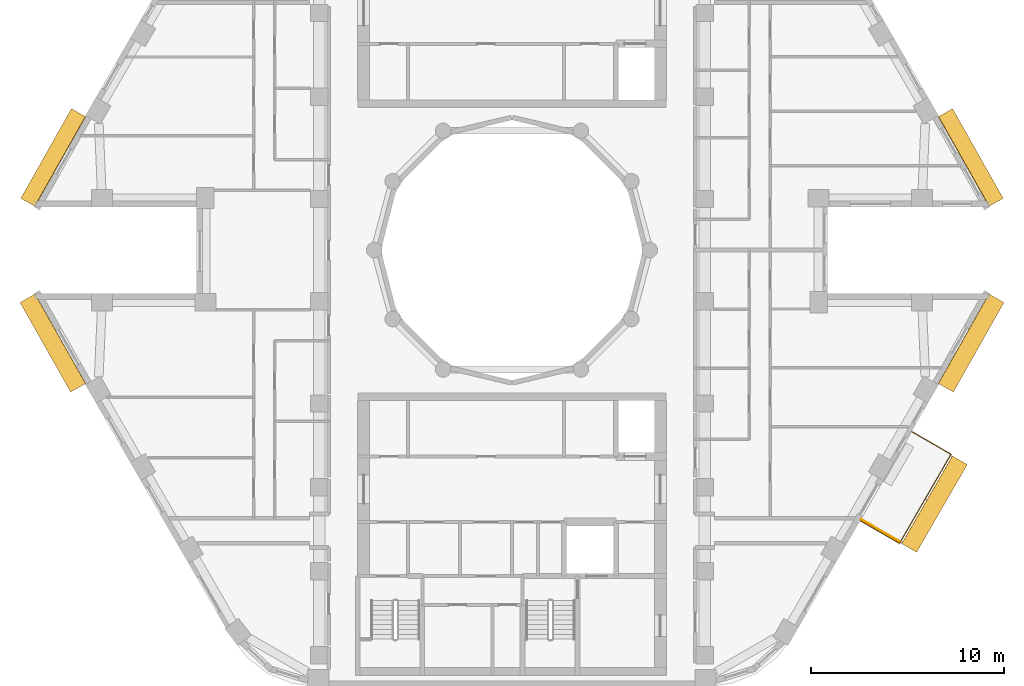
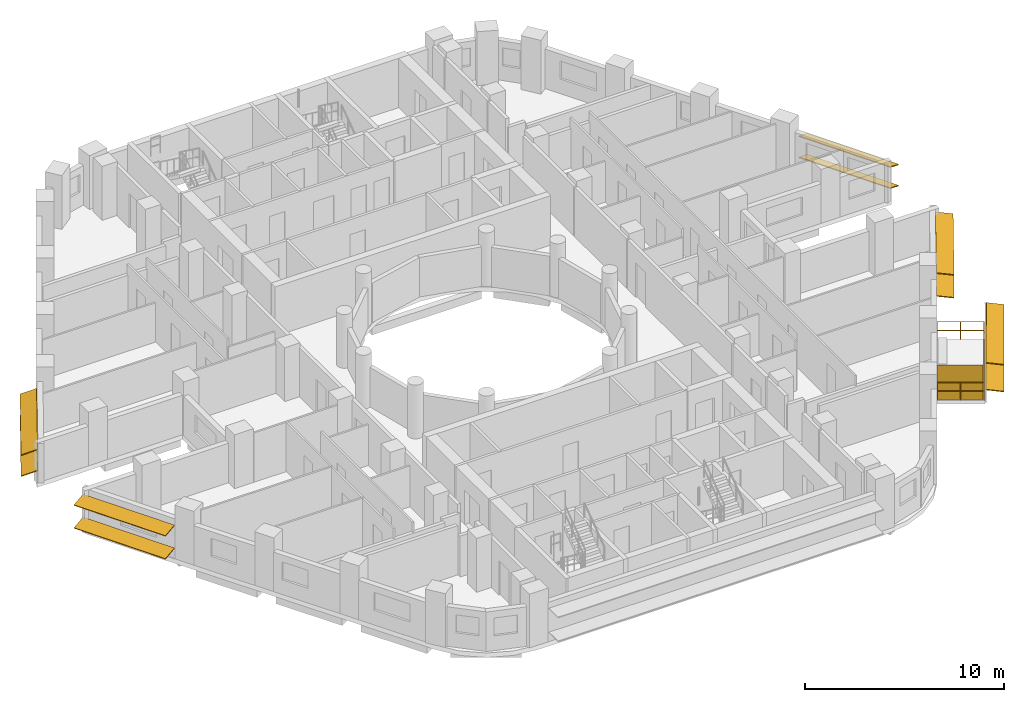
# One storey, part 11 of 12: 11 shading devices, 1 railing.
"""IFC4 building model written with IfcOpenShell, lengths in metres."""

from ifc_helpers import new_model, si_unit, direction, frame, origin, origin_2d, place, context, subcontext, project, spatial, rectangle, circle, extrude, material, layer, layer_set, material_profile, profile_set, type_object, element, save


model = new_model("IFC4")

# Units and contexts
model_context = context("Model", 3, precision=1e-05, world=origin(), true_north=direction((0.0, 1.0)))
body_context = subcontext(model_context, "Body", "Model", "MODEL_VIEW")
ifc_project = project(units=[si_unit("LENGTHUNIT", "METRE"), si_unit("AREAUNIT", "SQUARE_METRE"), si_unit("VOLUMEUNIT", "CUBIC_METRE"), si_unit("PLANEANGLEUNIT", "RADIAN"), si_unit("MASSUNIT", "GRAM", prefix="KILO")], contexts=[model_context])

# Site, building, storey
site_placement = place(None, origin())
site = spatial("IfcSite", under=ifc_project, at=site_placement, CompositionType="ELEMENT")
building_placement = place(site_placement, origin())
building = spatial("IfcBuilding", under=site, at=building_placement, Name="Nakaniwa Court", CompositionType="ELEMENT")
storey_placement = place(building_placement, frame((0.0, 0.0, 232.800048828125)))
storey = spatial("IfcBuildingStorey", under=building, at=storey_placement, Name="L60", CompositionType="ELEMENT", Elevation=232.800048828125)

# Railing
ifc_material_1 = material(Name="Black powder-coated steel flat bar balustrade S275", Category="steel")
railing_type = type_object("IfcRailingType", Name="Black metal balcony guard 1100", PredefinedType="GUARDRAIL", material=ifc_material_1)
railing_placement = place(storey_placement, frame((98.056396484375, 65.974609375, -0.050048828125)))
element("IfcRailing", 1, at=railing_placement, inside=storey, type_object=railing_type, Name="L60 balcony guard 01", PredefinedType="GUARDRAIL", context=body_context, shape_type="SweptSolid", body=[
    extrude(circle(Radius=0.02392578125, at=origin_2d()), frame((0.0, 0.0, 1.076171875), z_axis=(0.866025363618, -0.50000006957, 0.0), x_axis=(0.50000006957, 0.866025363618, 0.0)), (0.0, 0.0, 1.0), 2.35986328125),
    extrude(circle(Radius=0.02392578125, at=origin_2d()), frame((0.0, 0.0, 0.550048828125), z_axis=(0.866025363618, -0.50000006957, 0.0), x_axis=(0.50000006957, 0.866025363618, 0.0)), (0.0, 0.0, 1.0), 2.35986328125),
    extrude(circle(Radius=0.02392578125, at=origin_2d()), frame((2.043701171875, -1.179931640625, 1.076171875), z_axis=(0.500022176014, 0.866012600078, 0.0), x_axis=(-0.866012600078, 0.500022176014, 0.0)), (0.0, 0.0, 1.0), 5.335205078125),
    extrude(circle(Radius=0.02392578125, at=origin_2d()), frame((2.043701171875, -1.179931640625, 0.550048828125), z_axis=(0.500022176014, 0.866012600078, 0.0), x_axis=(-0.866012600078, 0.500022176014, 0.0)), (0.0, 0.0, 1.0), 5.335205078125),
    extrude(circle(Radius=0.02392578125, at=origin_2d()), frame((4.71142578125, 3.4404296875, 1.076171875), z_axis=(-0.866025363618, 0.50000006957, 0.0), x_axis=(-0.50000006957, -0.866025363618, 0.0)), (0.0, 0.0, 1.0), 2.35986328125),
    extrude(circle(Radius=0.02392578125, at=origin_2d()), frame((4.71142578125, 3.4404296875, 0.550048828125), z_axis=(-0.866025363618, 0.50000006957, 0.0), x_axis=(-0.50000006957, -0.866025363618, 0.0)), (0.0, 0.0, 1.0), 2.35986328125),
    extrude(circle(Radius=0.02099609375, at=origin_2d()), origin(), (0.0, 0.0, 1.0), 1.052001953125),
    extrude(circle(Radius=0.02099609375, at=origin_2d()), frame((1.02197265625, -0.58984375, 0.0)), (0.0, 0.0, 1.0), 1.052001953125),
    extrude(circle(Radius=0.02099609375, at=origin_2d()), frame((2.043701171875, -1.179931640625, 0.0)), (0.0, 0.0, 1.0), 1.052001953125),
    extrude(circle(Radius=0.02099609375, at=origin_2d()), frame((2.5771484375, -0.255859375, 0.0)), (0.0, 0.0, 1.0), 1.052001953125),
    extrude(circle(Radius=0.02099609375, at=origin_2d()), frame((3.11083984375, 0.668212890625, 0.0)), (0.0, 0.0, 1.0), 1.052001953125),
    extrude(circle(Radius=0.02099609375, at=origin_2d()), frame((3.644287109375, 1.59228515625, 0.0)), (0.0, 0.0, 1.0), 1.052001953125),
    extrude(circle(Radius=0.02099609375, at=origin_2d()), frame((4.177978515625, 2.516357421875, 0.0)), (0.0, 0.0, 1.0), 1.052001953125),
    extrude(circle(Radius=0.02099609375, at=origin_2d()), frame((4.71142578125, 3.4404296875, 0.0)), (0.0, 0.0, 1.0), 1.052001953125),
    extrude(circle(Radius=0.02099609375, at=origin_2d()), frame((3.689453125, 4.0302734375, 0.0)), (0.0, 0.0, 1.0), 1.052001953125),
    extrude(circle(Radius=0.02099609375, at=origin_2d()), frame((2.667724609375, 4.620361328125, 0.0)), (0.0, 0.0, 1.0), 1.052001953125),
])

# Shading devices
ifc_material_2 = material(Name="Black powder-coated aluminium slat screen", Category="aluminium")
ifc_layer = layer(ifc_material_2, 0.0400390625)
ifc_layer_set = layer_set([ifc_layer], Name="Black powder-coated aluminium slat screen")
shading_device_type_1 = type_object("IfcShadingDeviceType", Name="Koshi screen black metal", PredefinedType="USERDEFINED", material=ifc_layer_set)
shading_device_placement = place(storey_placement, frame((99.0966796875, 65.466552734375, -0.050048828125), z_axis=(0.0, 0.0, 1.0), x_axis=(0.500016626402, 0.866015804314, 0.0)))
element("IfcShadingDevice", 2, at=shading_device_placement, inside=storey, type_object=shading_device_type_1, Name="L60 balcony SCREEN 01 W", ObjectType="KOSHI SCREEN", PredefinedType="USERDEFINED", context=body_context, shape_type="SweptSolid", body=[
    extrude(rectangle(XDim=0.0400390625, YDim=2.31005859375, at=origin_2d()), origin(), (0.0, 0.0, 1.0), 2.10009765625),
])
ifc_material_3 = material(Name="Perforated charcoal ceramic louvre blade")
ifc_material_profile = material_profile(ifc_material_3, rectangle(XDim=0.89990234375, YDim=0.050048828125, at=origin_2d()), Name="Perforated ceramic louvre blade")
ifc_profile_set = profile_set([ifc_material_profile], Name="Perforated charcoal ceramic louvre blade")
shading_device_type_2 = type_object("IfcShadingDeviceType", Name="Perforated ceramic louvre blade", PredefinedType="JALOUSIE", material=ifc_profile_set)
for number, where, z_axis, x_axis, name in (
    (3, (100.595947265625, 64.5546875, 0.5), (0.500021380676, 0.866013059294, 0.0), (-0.858604197519, 0.495743628448, 0.13052619222), "L60 perforated ceramic louvre blade 01 1"),
    (4, (100.595947265625, 64.5546875, 2.14990234375), (0.500021380676, 0.866013059294, 0.0), (-0.858604197519, 0.495743628448, 0.13052619222), "L60 perforated ceramic louvre blade 01 2"),
):
    element("IfcShadingDevice", number, at=place(storey_placement, frame(where, z_axis=z_axis, x_axis=x_axis)), inside=storey, type_object=shading_device_type_2, Name=name, PredefinedType="JALOUSIE", context=body_context, shape_type="SweptSolid", body=[
        extrude(rectangle(XDim=0.89990234375, YDim=0.050048828125, at=origin_2d()), origin(), (0.0, 0.0, 1.0), 5.255126953125),
    ])
for number, where, z_axis, x_axis, name in (
    (5, (105.103759765625, 82.480224609375, 0.550048828125), (-0.492088911474, 0.870544946114, 0.0), (-0.804858877011, -0.454958851288, 0.38107037635), "L60 perforated ceramic louvre blade w02 1"),
    (6, (105.103759765625, 82.480224609375, 1.845458984375), (-0.492088911474, 0.870544946114, 0.0), (-0.804858877011, -0.454958851288, 0.38107037635), "L60 perforated ceramic louvre blade w02 2"),
    (7, (57.5224609375, 87.126220703125, 0.550048828125), (-0.492088911474, -0.870544946114, 0.0), (0.804858877011, -0.454958851288, 0.38107037635), "L60 perforated ceramic louvre blade w14 1"),
    (8, (57.5224609375, 87.126220703125, 1.845458984375), (-0.492088911474, -0.870544946114, 0.0), (0.804858877011, -0.454958851288, 0.38107037635), "L60 perforated ceramic louvre blade w14 2"),
):
    element("IfcShadingDevice", number, at=place(storey_placement, frame(where, z_axis=z_axis, x_axis=x_axis)), inside=storey, type_object=shading_device_type_2, Name=name, PredefinedType="JALOUSIE", context=body_context, shape_type="SweptSolid", body=[
        extrude(rectangle(XDim=0.89990234375, YDim=0.050048828125, at=origin_2d()), origin(), (0.0, 0.0, 1.0), 5.3369140625),
    ])
for number, where, z_axis, x_axis, name in (
    (9, (54.87548828125, 77.508056640625, 0.550048828125), (0.492108509021, -0.870533868008, 0.0), (0.862886698285, 0.487785601632, 0.132256390257), "L60 perforated ceramic louvre blade w20 1"),
    (10, (54.87548828125, 77.508056640625, 1.95556640625), (0.492108509021, -0.870533868008, 0.0), (0.862886698285, 0.487785601632, 0.132256390257), "L60 perforated ceramic louvre blade w20 2"),
    (11, (102.498291015625, 72.8623046875, 0.550048828125), (0.492108509021, 0.870533868008, 0.0), (-0.862886698285, 0.487785601632, 0.132256390257), "L60 perforated ceramic louvre blade w32 1"),
    (12, (102.498291015625, 72.8623046875, 1.95556640625), (0.492108509021, 0.870533868008, 0.0), (-0.862886698285, 0.487785601632, 0.132256390257), "L60 perforated ceramic louvre blade w32 2"),
):
    element("IfcShadingDevice", number, at=place(storey_placement, frame(where, z_axis=z_axis, x_axis=x_axis)), inside=storey, type_object=shading_device_type_2, Name=name, PredefinedType="JALOUSIE", context=body_context, shape_type="SweptSolid", body=[
        extrude(rectangle(XDim=0.89990234375, YDim=0.050048828125, at=origin_2d()), origin(), (0.0, 0.0, 1.0), 5.336669921875),
    ])

save(model, "model.ifc")
